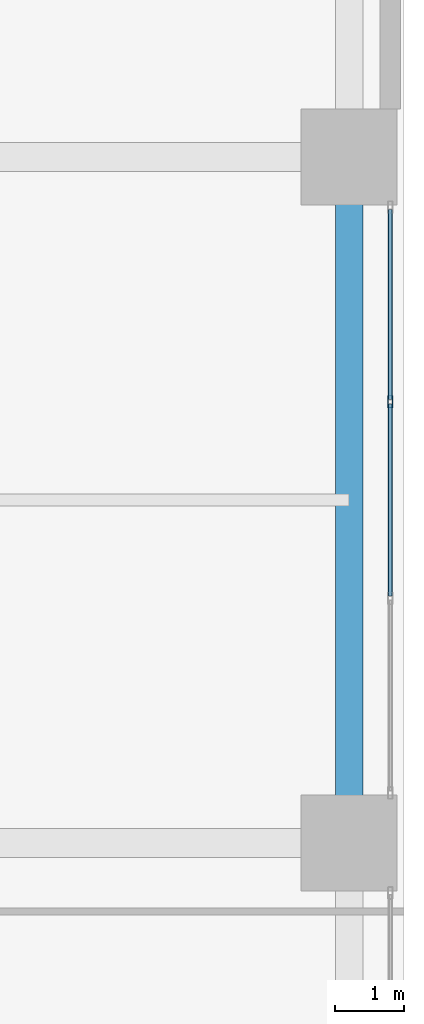
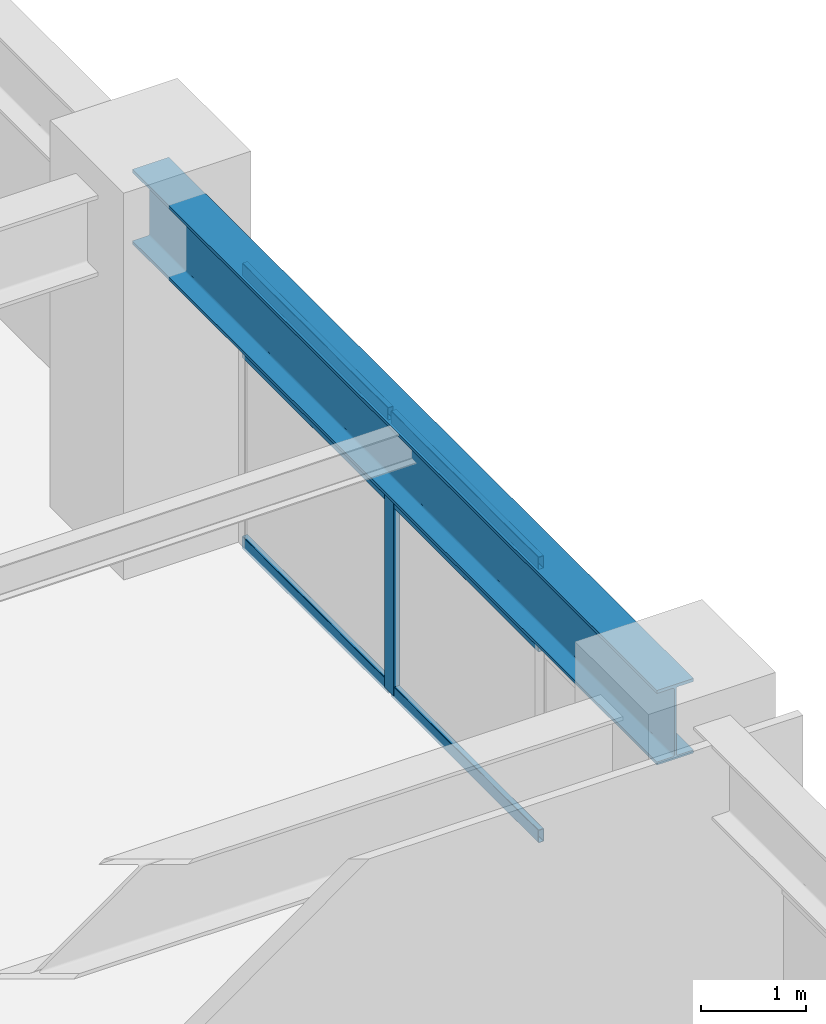
# One storey, part 16 of 28: 7 members, 1 beam, 1 element without a shape of its own.
"""IFC4 building model written with IfcOpenShell, lengths in metres."""

from ifc_helpers import new_model, si_unit, direction, frame, origin, origin_2d, place, context, subcontext, project, spatial, hollow_rectangle, i_section, extrude, material, layer, layer_set, material_profile, profile_set, type_object, element, aggregate, save


model = new_model("IFC4")

# Units and contexts
model_context = context("Model", 3, precision=1e-05, world=origin(), true_north=direction((0.0, 1.0)))
body_context = subcontext(model_context, "Body", "Model", "MODEL_VIEW")
ifc_project = project(units=[si_unit("LENGTHUNIT", "METRE"), si_unit("AREAUNIT", "SQUARE_METRE"), si_unit("VOLUMEUNIT", "CUBIC_METRE"), si_unit("PLANEANGLEUNIT", "RADIAN"), si_unit("MASSUNIT", "GRAM", prefix="KILO")], contexts=[model_context])

# Site, building, storey
site_placement = place(None, origin())
site = spatial("IfcSite", under=ifc_project, at=site_placement, CompositionType="ELEMENT")
building_placement = place(site_placement, origin())
building = spatial("IfcBuilding", under=site, at=building_placement, Name="Soratama Intermodal Tower", CompositionType="ELEMENT")
storey_placement = place(building_placement, frame((0.0, 0.0, 20.699951171875)))
storey = spatial("IfcBuildingStorey", under=building, at=storey_placement, Name="L04", CompositionType="ELEMENT", Elevation=20.699951171875)

# Beam
ifc_material_1 = material(Name="Structural steel ASTM A992 Grade 50", Category="steel")
ifc_material_profile_1 = material_profile(ifc_material_1, i_section(OverallWidth=0.403076171875, OverallDepth=0.867919921875, WebThickness=0.02099609375, FlangeThickness=0.03564453125, FilletRadius=0.01806640625, at=origin_2d()), Name="W33X241")
ifc_profile_set_1 = profile_set([ifc_material_profile_1], Name="Structural steel ASTM A992 Grade 50")
beam_type = type_object("IfcBeamType", Name="BM-POD-EXT-W33", PredefinedType="BEAM", material=ifc_profile_set_1)
beam_placement = place(storey_placement, frame((83.199951171875, 25.0, 3.74609375), z_axis=(0.0, 1.0, 0.0), x_axis=(-1.0, 0.0, 0.0)))
element("IfcBeam", 1, at=beam_placement, inside=storey, type_object=beam_type, Name="L04 Station Girder Y4-3", PredefinedType="BEAM", context=body_context, shape_type="SweptSolid", body=[
    extrude(i_section(OverallWidth=0.403076171875, OverallDepth=0.867919921875, WebThickness=0.02099609375, FlangeThickness=0.03564453125, FilletRadius=0.01806640625, at=origin_2d()), origin(), (0.0, 0.0, 1.0), 10.0),
])

# Curtain wall, members
ifc_material_2 = material(Name="Double-glazed aluminium curtain wall", Category="aluminium")
ifc_layer = layer(ifc_material_2, 0.159912109375)
ifc_layer_set = layer_set([ifc_layer], Name="Double-glazed aluminium curtain wall")
curtain_wall_type = type_object("IfcCurtainWallType", Name="CW-SYS-1", PredefinedType="NOTDEFINED", material=ifc_layer_set)
curtain_wall_placement = place(storey_placement, origin())
curtain_wall = element("IfcCurtainWall", 2, at=curtain_wall_placement, inside=storey, type_object=curtain_wall_type, Name="L04 Station Curtain Wall E2", PredefinedType="NOTDEFINED")
ifc_material_3 = material(Name="Anodised aluminium AA 6063-T6", Category="aluminium")
ifc_material_profile_2 = material_profile(ifc_material_3, hollow_rectangle(XDim=0.074951171875, YDim=0.179931640625, WallThickness=0.006103515625, InnerFilletRadius=0.006103515625, OuterFilletRadius=0.011962890625, at=origin_2d()), Name="CWM180X75X6")
ifc_profile_set_2 = profile_set([ifc_material_profile_2], Name="Anodised aluminium AA 6063-T6")
member_type_1 = type_object("IfcMemberType", Name="MT-CWM-1", PredefinedType="MULLION", material=ifc_profile_set_2)
member_1_placement = place(storey_placement, frame((83.800048828125, 31.433349609375, 0.0), z_axis=(0.0, 0.0, 1.0), x_axis=(-1.0, 0.0, 0.0)))
member_1 = element("IfcMember", 3, at=member_1_placement, type_object=member_type_1, Name="CW-1 mullion 3", PredefinedType="MULLION", context=body_context, shape_type="SweptSolid", body=[
    extrude(hollow_rectangle(XDim=0.074951171875, YDim=0.179931640625, WallThickness=0.006103515625, InnerFilletRadius=0.006103515625, OuterFilletRadius=0.011962890625, at=origin_2d()), origin(), (0.0, 0.0, 1.0), 3.236083984375),
])
ifc_material_4 = material(Name="Anodised aluminium AA 6063-T6", Category="aluminium")
ifc_material_profile_3 = material_profile(ifc_material_4, hollow_rectangle(XDim=0.06494140625, YDim=0.14990234375, WallThickness=0.0048828125, InnerFilletRadius=0.0048828125, OuterFilletRadius=0.010009765625, at=origin_2d()), Name="CWT150X65X5")
ifc_profile_set_3 = profile_set([ifc_material_profile_3], Name="Anodised aluminium AA 6063-T6")
member_type_2 = type_object("IfcMemberType", Name="TT-CWT-1", PredefinedType="USERDEFINED", material=ifc_profile_set_3)
member_2_placement = place(storey_placement, frame((83.800048828125, 28.5966796875, 0.030029296875), z_axis=(0.0, 1.0, 0.0), x_axis=(-1.0, 0.0, 0.0)))
member_2 = element("IfcMember", 4, at=member_2_placement, type_object=member_type_2, Name="CW-1 transom 2.1", ObjectType="TRANSOM", PredefinedType="USERDEFINED", context=body_context, shape_type="SweptSolid", body=[
    extrude(hollow_rectangle(XDim=0.06494140625, YDim=0.14990234375, WallThickness=0.0048828125, InnerFilletRadius=0.0048828125, OuterFilletRadius=0.010009765625, at=origin_2d()), origin(), (0.0, 0.0, 1.0), 2.806640625),
])
member_3_placement = place(storey_placement, frame((83.800048828125, 28.5966796875, 2.25), z_axis=(0.0, 1.0, 0.0), x_axis=(-1.0, 0.0, 0.0)))
member_3 = element("IfcMember", 5, at=member_3_placement, type_object=member_type_2, Name="CW-1 transom 2.2", ObjectType="TRANSOM", PredefinedType="USERDEFINED", context=body_context, shape_type="SweptSolid", body=[
    extrude(hollow_rectangle(XDim=0.06494140625, YDim=0.14990234375, WallThickness=0.0048828125, InnerFilletRadius=0.0048828125, OuterFilletRadius=0.010009765625, at=origin_2d()), origin(), (0.0, 0.0, 1.0), 2.806640625),
])
member_4_placement = place(storey_placement, frame((83.800048828125, 28.5966796875, 3.2060546875), z_axis=(0.0, 1.0, 0.0), x_axis=(-1.0, 0.0, 0.0)))
member_4 = element("IfcMember", 6, at=member_4_placement, type_object=member_type_2, Name="CW-1 transom 2.3", ObjectType="TRANSOM", PredefinedType="USERDEFINED", context=body_context, shape_type="SweptSolid", body=[
    extrude(hollow_rectangle(XDim=0.06494140625, YDim=0.14990234375, WallThickness=0.0048828125, InnerFilletRadius=0.0048828125, OuterFilletRadius=0.010009765625, at=origin_2d()), origin(), (0.0, 0.0, 1.0), 2.806640625),
])
member_5_placement = place(storey_placement, frame((83.800048828125, 31.46337890625, 0.030029296875), z_axis=(0.0, 1.0, 0.0), x_axis=(-1.0, 0.0, 0.0)))
member_5 = element("IfcMember", 7, at=member_5_placement, type_object=member_type_2, Name="CW-1 transom 3.1", ObjectType="TRANSOM", PredefinedType="USERDEFINED", context=body_context, shape_type="SweptSolid", body=[
    extrude(hollow_rectangle(XDim=0.06494140625, YDim=0.14990234375, WallThickness=0.0048828125, InnerFilletRadius=0.0048828125, OuterFilletRadius=0.010009765625, at=origin_2d()), origin(), (0.0, 0.0, 1.0), 2.776611328125),
])
member_6_placement = place(storey_placement, frame((83.800048828125, 31.46337890625, 2.25), z_axis=(0.0, 1.0, 0.0), x_axis=(-1.0, 0.0, 0.0)))
member_6 = element("IfcMember", 8, at=member_6_placement, type_object=member_type_2, Name="CW-1 transom 3.2", ObjectType="TRANSOM", PredefinedType="USERDEFINED", context=body_context, shape_type="SweptSolid", body=[
    extrude(hollow_rectangle(XDim=0.06494140625, YDim=0.14990234375, WallThickness=0.0048828125, InnerFilletRadius=0.0048828125, OuterFilletRadius=0.010009765625, at=origin_2d()), origin(), (0.0, 0.0, 1.0), 2.776611328125),
])
member_7_placement = place(storey_placement, frame((83.800048828125, 31.46337890625, 3.2060546875), z_axis=(0.0, 1.0, 0.0), x_axis=(-1.0, 0.0, 0.0)))
member_7 = element("IfcMember", 9, at=member_7_placement, type_object=member_type_2, Name="CW-1 transom 3.3", ObjectType="TRANSOM", PredefinedType="USERDEFINED", context=body_context, shape_type="SweptSolid", body=[
    extrude(hollow_rectangle(XDim=0.06494140625, YDim=0.14990234375, WallThickness=0.0048828125, InnerFilletRadius=0.0048828125, OuterFilletRadius=0.010009765625, at=origin_2d()), origin(), (0.0, 0.0, 1.0), 2.776611328125),
])
aggregate(curtain_wall, [member_1, member_2, member_3, member_4, member_5, member_6, member_7])

save(model, "model.ifc")
